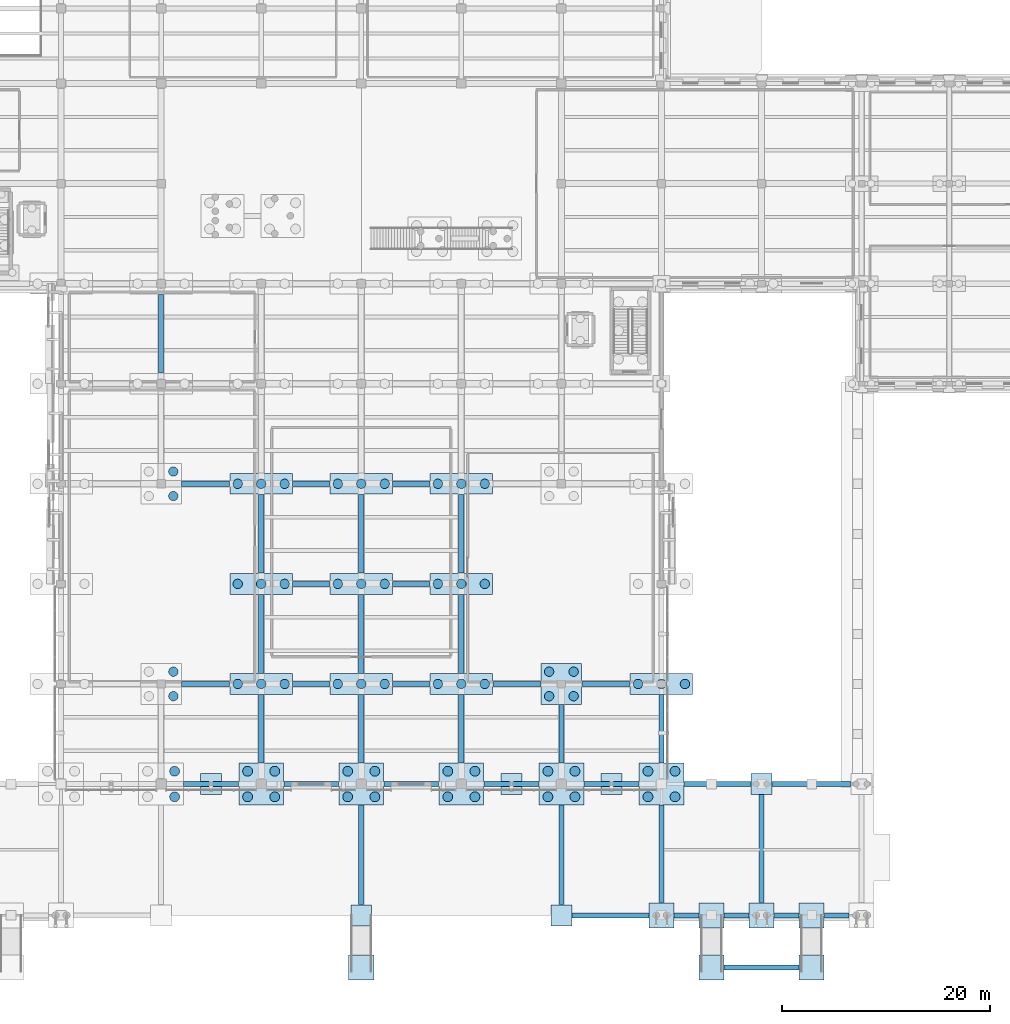
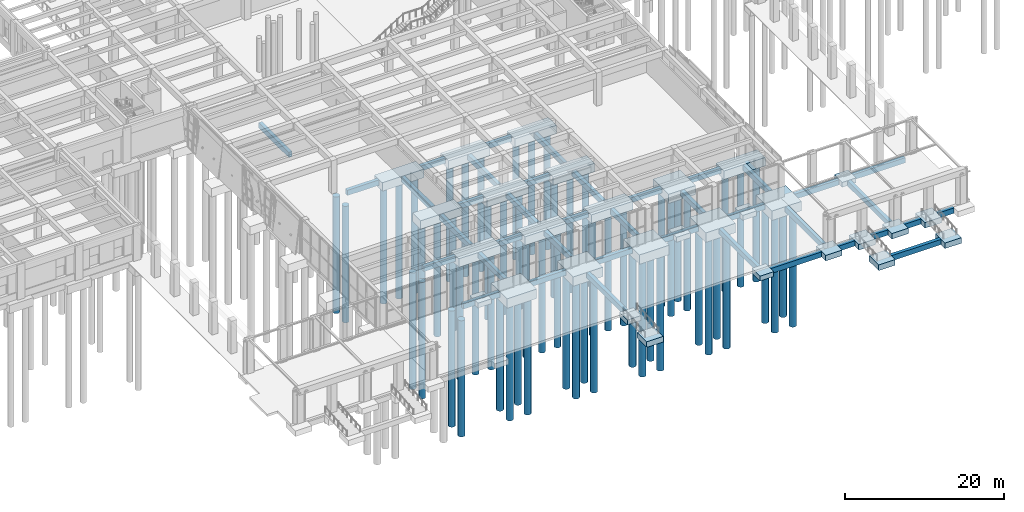
# One storey, part 2 of 51: 68 footings, 60 piles.
"""IFC4 building model written with IfcOpenShell, lengths in metres."""

from ifc_helpers import new_model, si_unit, direction, frame, origin, origin_2d, place, context, subcontext, project, spatial, rectangle, circle, extrude, material, material_profile, profile_set, type_object, element, save


model = new_model("IFC4")

# Units and contexts
model_context = context("Model", 3, precision=1e-05, world=origin(), true_north=direction((0.0, 1.0)))
body_context = subcontext(model_context, "Body", "Model", "MODEL_VIEW")
ifc_project = project(units=[si_unit("LENGTHUNIT", "METRE"), si_unit("AREAUNIT", "SQUARE_METRE"), si_unit("VOLUMEUNIT", "CUBIC_METRE"), si_unit("PLANEANGLEUNIT", "RADIAN"), si_unit("MASSUNIT", "GRAM", prefix="KILO")], contexts=[model_context])

# Site, building, storey
site_placement = place(None, origin())
site = spatial("IfcSite", under=ifc_project, at=site_placement, CompositionType="ELEMENT")
building_placement = place(site_placement, origin())
building = spatial("IfcBuilding", under=site, at=building_placement, Name="Bempovik Park Faculty of Sciences", CompositionType="ELEMENT")
storey_placement = place(building_placement, origin())
storey = spatial("IfcBuildingStorey", under=building, at=storey_placement, Name="L00", CompositionType="ELEMENT", Elevation=0.0)

# Footings
ifc_material = material(Name="Concrete C35/45", Category="concrete")
footing_type_1 = type_object("IfcFootingType", Name="F-25 Pile Cap 4300x4000x1450", PredefinedType="PILE_CAP", material=ifc_material)
for number, where, z_axis, x_axis, name in (
    (1, (79.199951171875, 19.800048828125, -1.81005859375), (0.0, 0.0, 1.0), (1.0, 0.0, 0.0), "Footing FT-L0-792-198"),
    (2, (88.800048828125, 19.800048828125, -1.81005859375), (0.0, 0.0, 1.0), (1.0, 0.0, 0.0), "Footing FT-L0-888-198"),
    (3, (98.39990234375, 19.800048828125, -1.81005859375), (0.0, 0.0, 1.0), (1.0, 0.0, 0.0), "Footing FT-L0-984-198"),
    (4, (108.0, 19.800048828125, -1.81005859375), (0.0, 0.0, 1.0), (1.0, 0.0, 0.0), "Footing FT-L0-1080-198"),
    (5, (117.60009765625, 19.800048828125, -1.81005859375), (0.0, 0.0, 1.0), (1.0, 0.0, 0.0), "Footing FT-L0-1176-198"),
):
    element("IfcFooting", number, at=place(storey_placement, frame(where, z_axis=z_axis, x_axis=x_axis)), inside=storey, type_object=footing_type_1, Name=name, PredefinedType="PILE_CAP", context=body_context, shape_type="SweptSolid", body=[
        extrude(rectangle(XDim=4.300048828125, YDim=4.0, at=origin_2d()), origin(), (0.0, 0.0, 1.0), 1.449951171875),
    ])
footing_type_2 = type_object("IfcFootingType", Name="F-26 Pile Cap 3900x3900x1400", PredefinedType="PILE_CAP", material=ifc_material)
footing_1_placement = place(storey_placement, frame((108.0, 29.39990234375, -1.760009765625), z_axis=(0.0, 0.0, 1.0), x_axis=(1.0, 0.0, 0.0)))
element("IfcFooting", 6, at=footing_1_placement, inside=storey, type_object=footing_type_2, Name="Footing FT-L0-1080-294", PredefinedType="PILE_CAP", context=body_context, shape_type="SweptSolid", body=[
    extrude(rectangle(XDim=3.89990234375, YDim=3.89990234375, at=origin_2d()), origin(), (0.0, 0.0, 1.0), 1.39990234375),
])
footing_type_3 = type_object("IfcFootingType", Name="F-28 Pile Cap 6000x2000x1300", PredefinedType="PILE_CAP", material=ifc_material)
for number, where, z_axis, x_axis, name in (
    (7, (79.199951171875, 29.39990234375, -1.66015625), (0.0, 0.0, 1.0), (1.0, 0.0, 0.0), "Footing FT-L0-792-294"),
    (8, (79.199951171875, 39.0, -1.66015625), (0.0, 0.0, 1.0), (1.0, 0.0, 0.0), "Footing FT-L0-792-390"),
    (9, (79.199951171875, 48.60009765625, -1.66015625), (0.0, 0.0, 1.0), (1.0, 0.0, 0.0), "Footing FT-L0-792-486"),
    (10, (88.800048828125, 29.39990234375, -1.66015625), (0.0, 0.0, 1.0), (1.0, 0.0, 0.0), "Footing FT-L0-888-294"),
    (11, (88.800048828125, 39.0, -1.66015625), (0.0, 0.0, 1.0), (1.0, 0.0, 0.0), "Footing FT-L0-888-390"),
    (12, (88.800048828125, 48.60009765625, -1.66015625), (0.0, 0.0, 1.0), (1.0, 0.0, 0.0), "Footing FT-L0-888-486"),
    (13, (98.39990234375, 29.39990234375, -1.66015625), (0.0, 0.0, 1.0), (1.0, 0.0, 0.0), "Footing FT-L0-984-294"),
    (14, (98.39990234375, 39.0, -1.66015625), (0.0, 0.0, 1.0), (1.0, 0.0, 0.0), "Footing FT-L0-984-390"),
    (15, (98.39990234375, 48.60009765625, -1.66015625), (0.0, 0.0, 1.0), (1.0, 0.0, 0.0), "Footing FT-L0-984-486"),
    (16, (117.60009765625, 29.39990234375, -1.66015625), (0.0, 0.0, 1.0), (1.0, 0.0, 0.0), "Footing FT-L0-1176-294"),
):
    element("IfcFooting", number, at=place(storey_placement, frame(where, z_axis=z_axis, x_axis=x_axis)), inside=storey, type_object=footing_type_3, Name=name, PredefinedType="PILE_CAP", context=body_context, shape_type="SweptSolid", body=[
        extrude(rectangle(XDim=6.0, YDim=2.0, at=origin_2d()), origin(), (0.0, 0.0, 1.0), 1.300048828125),
    ])
footing_type_4 = type_object("IfcFootingType", Name="F-32 Pad Footing 2400x2400x850", PredefinedType="PAD_FOOTING", material=ifc_material)
for number, where, z_axis, x_axis, name in (
    (17, (117.60009765625, 7.199951171875, -1.18994140625), (0.0, 0.0, 1.0), (1.0, 0.0, 0.0), "Footing PAD-A-1176"),
    (18, (127.199951171875, 7.199951171875, -1.18994140625), (0.0, 0.0, 1.0), (1.0, 0.0, 0.0), "Footing PAD-A-1272"),
    (19, (122.39990234375, 2.199951171875, -1.300048828125), (0.0, 0.0, 1.0), (1.0, 0.0, 0.0), "Footing PAD-RPTOE-3"),
    (20, (122.39990234375, 7.199951171875, -1.18994140625), (0.0, 0.0, 1.0), (1.0, 0.0, 0.0), "Footing PAD-RPHD-3"),
    (21, (132.0, 2.199951171875, -1.300048828125), (0.0, 0.0, 1.0), (1.0, 0.0, 0.0), "Footing PAD-RPTOE-4"),
    (22, (132.0, 7.199951171875, -1.18994140625), (0.0, 0.0, 1.0), (1.0, 0.0, 0.0), "Footing PAD-RPHD-4"),
    (23, (88.800048828125, 2.199951171875, -1.300048828125), (0.0, 0.0, 1.0), (1.0, 0.0, 0.0), "Footing PAD-RPTOE-5"),
):
    element("IfcFooting", number, at=place(storey_placement, frame(where, z_axis=z_axis, x_axis=x_axis)), inside=storey, type_object=footing_type_4, Name=name, PredefinedType="PAD_FOOTING", context=body_context, shape_type="SweptSolid", body=[
        extrude(rectangle(XDim=2.39990234375, YDim=2.39990234375, at=origin_2d()), origin(), (0.0, 0.0, 1.0), 0.85009765625),
    ])
footing_type_5 = type_object("IfcFootingType", Name="F-48 GB 500x800", PredefinedType="FOOTING_BEAM", material=ifc_material)
footing_2_placement = place(storey_placement, frame((74.39990234375, 19.800048828125, -1.16015625), z_axis=(0.0, 0.0, 1.0), x_axis=(1.0, 0.0, 0.0)))
element("IfcFooting", 24, at=footing_2_placement, inside=storey, type_object=footing_type_5, Name="Ground Tie Beam GB-X-065", PredefinedType="FOOTING_BEAM", context=body_context, shape_type="SweptSolid", body=[
    extrude(rectangle(XDim=5.260009765625, YDim=0.5, at=origin_2d()), origin(), (0.0, 0.0, 1.0), 0.800048828125),
])
for number, where, z_axis, x_axis, name in (
    (25, (73.875, 29.39990234375, -1.16015625), (0.0, 0.0, 1.0), (1.0, 0.0, 0.0), "Ground Tie Beam GB-X-066"),
    (26, (73.875, 48.60009765625, -1.16015625), (0.0, 0.0, 1.0), (1.0, 0.0, 0.0), "Ground Tie Beam GB-X-068"),
):
    element("IfcFooting", number, at=place(storey_placement, frame(where, z_axis=z_axis, x_axis=x_axis)), inside=storey, type_object=footing_type_5, Name=name, PredefinedType="FOOTING_BEAM", context=body_context, shape_type="SweptSolid", body=[
        extrude(rectangle(XDim=4.610107421875, YDim=0.5, at=origin_2d()), origin(), (0.0, 0.0, 1.0), 0.800048828125),
    ])
footing_3_placement = place(storey_placement, frame((69.60009765625, 63.0, -1.16015625), z_axis=(0.0, 0.0, 1.0), x_axis=(1.0, 0.0, 0.0)))
element("IfcFooting", 27, at=footing_3_placement, inside=storey, type_object=footing_type_5, Name="Ground Tie Beam GB-Y-069", PredefinedType="FOOTING_BEAM", context=body_context, shape_type="SweptSolid", body=[
    extrude(rectangle(XDim=0.5, YDim=7.56005859375, at=origin_2d()), origin(), (0.0, 0.0, 1.0), 0.800048828125),
])
footing_4_placement = place(storey_placement, frame((79.199951171875, 25.10009765625, -1.16015625), z_axis=(0.0, 0.0, 1.0), x_axis=(1.0, 0.0, 0.0)))
element("IfcFooting", 28, at=footing_4_placement, inside=storey, type_object=footing_type_5, Name="Ground Tie Beam GB-Y-073", PredefinedType="FOOTING_BEAM", context=body_context, shape_type="SweptSolid", body=[
    extrude(rectangle(XDim=0.5, YDim=6.56005859375, at=origin_2d()), origin(), (0.0, 0.0, 1.0), 0.800048828125),
])
footing_5_placement = place(storey_placement, frame((84.0, 19.800048828125, -1.16015625), z_axis=(0.0, 0.0, 1.0), x_axis=(1.0, 0.0, 0.0)))
element("IfcFooting", 29, at=footing_5_placement, inside=storey, type_object=footing_type_5, Name="Ground Tie Beam GB-X-074", PredefinedType="FOOTING_BEAM", context=body_context, shape_type="SweptSolid", body=[
    extrude(rectangle(XDim=5.260009765625, YDim=0.5, at=origin_2d()), origin(), (0.0, 0.0, 1.0), 0.800048828125),
])
footing_6_placement = place(storey_placement, frame((79.199951171875, 34.199951171875, -1.16015625), z_axis=(0.0, 0.0, 1.0), x_axis=(1.0, 0.0, 0.0)))
element("IfcFooting", 30, at=footing_6_placement, inside=storey, type_object=footing_type_5, Name="Ground Tie Beam GB-Y-075", PredefinedType="FOOTING_BEAM", context=body_context, shape_type="SweptSolid", body=[
    extrude(rectangle(XDim=0.5, YDim=7.56005859375, at=origin_2d()), origin(), (0.0, 0.0, 1.0), 0.800048828125),
])
footing_7_placement = place(storey_placement, frame((84.0, 29.39990234375, -1.16015625), z_axis=(0.0, 0.0, 1.0), x_axis=(1.0, 0.0, 0.0)))
element("IfcFooting", 31, at=footing_7_placement, inside=storey, type_object=footing_type_5, Name="Ground Tie Beam GB-X-076", PredefinedType="FOOTING_BEAM", context=body_context, shape_type="SweptSolid", body=[
    extrude(rectangle(XDim=3.56005859375, YDim=0.5, at=origin_2d()), origin(), (0.0, 0.0, 1.0), 0.800048828125),
])
footing_8_placement = place(storey_placement, frame((79.199951171875, 43.800048828125, -1.16015625), z_axis=(0.0, 0.0, 1.0), x_axis=(1.0, 0.0, 0.0)))
element("IfcFooting", 32, at=footing_8_placement, inside=storey, type_object=footing_type_5, Name="Ground Tie Beam GB-Y-077", PredefinedType="FOOTING_BEAM", context=body_context, shape_type="SweptSolid", body=[
    extrude(rectangle(XDim=0.5, YDim=7.56005859375, at=origin_2d()), origin(), (0.0, 0.0, 1.0), 0.800048828125),
])
for number, where, z_axis, x_axis, name in (
    (33, (84.0, 39.0, -1.16015625), (0.0, 0.0, 1.0), (1.0, 0.0, 0.0), "Ground Tie Beam GB-X-078"),
    (34, (84.0, 48.60009765625, -1.16015625), (0.0, 0.0, 1.0), (1.0, 0.0, 0.0), "Ground Tie Beam GB-X-080"),
):
    element("IfcFooting", number, at=place(storey_placement, frame(where, z_axis=z_axis, x_axis=x_axis)), inside=storey, type_object=footing_type_5, Name=name, PredefinedType="FOOTING_BEAM", context=body_context, shape_type="SweptSolid", body=[
        extrude(rectangle(XDim=3.56005859375, YDim=0.5, at=origin_2d()), origin(), (0.0, 0.0, 1.0), 0.800048828125),
    ])
footing_9_placement = place(storey_placement, frame((88.800048828125, 13.0, -1.14013671875), z_axis=(0.0, 0.0, 1.0), x_axis=(1.0, 0.0, 0.0)))
element("IfcFooting", 35, at=footing_9_placement, inside=storey, type_object=footing_type_5, Name="Ground Tie Beam GB-Y-084", PredefinedType="FOOTING_BEAM", context=body_context, shape_type="SweptSolid", body=[
    extrude(rectangle(XDim=0.5, YDim=9.56005859375, at=origin_2d()), origin(), (0.0, 0.0, 1.0), 0.800048828125),
])
footing_10_placement = place(storey_placement, frame((88.800048828125, 25.10009765625, -1.16015625), z_axis=(0.0, 0.0, 1.0), x_axis=(1.0, 0.0, 0.0)))
element("IfcFooting", 36, at=footing_10_placement, inside=storey, type_object=footing_type_5, Name="Ground Tie Beam GB-Y-085", PredefinedType="FOOTING_BEAM", context=body_context, shape_type="SweptSolid", body=[
    extrude(rectangle(XDim=0.5, YDim=6.56005859375, at=origin_2d()), origin(), (0.0, 0.0, 1.0), 0.800048828125),
])
footing_11_placement = place(storey_placement, frame((93.60009765625, 19.800048828125, -1.16015625), z_axis=(0.0, 0.0, 1.0), x_axis=(1.0, 0.0, 0.0)))
element("IfcFooting", 37, at=footing_11_placement, inside=storey, type_object=footing_type_5, Name="Ground Tie Beam GB-X-086", PredefinedType="FOOTING_BEAM", context=body_context, shape_type="SweptSolid", body=[
    extrude(rectangle(XDim=5.260009765625, YDim=0.5, at=origin_2d()), origin(), (0.0, 0.0, 1.0), 0.800048828125),
])
footing_12_placement = place(storey_placement, frame((88.800048828125, 34.199951171875, -1.16015625), z_axis=(0.0, 0.0, 1.0), x_axis=(1.0, 0.0, 0.0)))
element("IfcFooting", 38, at=footing_12_placement, inside=storey, type_object=footing_type_5, Name="Ground Tie Beam GB-Y-087", PredefinedType="FOOTING_BEAM", context=body_context, shape_type="SweptSolid", body=[
    extrude(rectangle(XDim=0.5, YDim=7.56005859375, at=origin_2d()), origin(), (0.0, 0.0, 1.0), 0.800048828125),
])
footing_13_placement = place(storey_placement, frame((93.60009765625, 29.39990234375, -1.16015625), z_axis=(0.0, 0.0, 1.0), x_axis=(1.0, 0.0, 0.0)))
element("IfcFooting", 39, at=footing_13_placement, inside=storey, type_object=footing_type_5, Name="Ground Tie Beam GB-X-088", PredefinedType="FOOTING_BEAM", context=body_context, shape_type="SweptSolid", body=[
    extrude(rectangle(XDim=3.56005859375, YDim=0.5, at=origin_2d()), origin(), (0.0, 0.0, 1.0), 0.800048828125),
])
footing_14_placement = place(storey_placement, frame((88.800048828125, 43.800048828125, -1.16015625), z_axis=(0.0, 0.0, 1.0), x_axis=(1.0, 0.0, 0.0)))
element("IfcFooting", 40, at=footing_14_placement, inside=storey, type_object=footing_type_5, Name="Ground Tie Beam GB-Y-089", PredefinedType="FOOTING_BEAM", context=body_context, shape_type="SweptSolid", body=[
    extrude(rectangle(XDim=0.5, YDim=7.56005859375, at=origin_2d()), origin(), (0.0, 0.0, 1.0), 0.800048828125),
])
for number, where, z_axis, x_axis, name in (
    (41, (93.60009765625, 39.0, -1.16015625), (0.0, 0.0, 1.0), (1.0, 0.0, 0.0), "Ground Tie Beam GB-X-090"),
    (42, (93.60009765625, 48.60009765625, -1.16015625), (0.0, 0.0, 1.0), (1.0, 0.0, 0.0), "Ground Tie Beam GB-X-092"),
):
    element("IfcFooting", number, at=place(storey_placement, frame(where, z_axis=z_axis, x_axis=x_axis)), inside=storey, type_object=footing_type_5, Name=name, PredefinedType="FOOTING_BEAM", context=body_context, shape_type="SweptSolid", body=[
        extrude(rectangle(XDim=3.56005859375, YDim=0.5, at=origin_2d()), origin(), (0.0, 0.0, 1.0), 0.800048828125),
    ])
footing_15_placement = place(storey_placement, frame((98.39990234375, 25.10009765625, -1.16015625), z_axis=(0.0, 0.0, 1.0), x_axis=(1.0, 0.0, 0.0)))
element("IfcFooting", 43, at=footing_15_placement, inside=storey, type_object=footing_type_5, Name="Ground Tie Beam GB-Y-097", PredefinedType="FOOTING_BEAM", context=body_context, shape_type="SweptSolid", body=[
    extrude(rectangle(XDim=0.5, YDim=6.56005859375, at=origin_2d()), origin(), (0.0, 0.0, 1.0), 0.800048828125),
])
footing_16_placement = place(storey_placement, frame((103.199951171875, 19.800048828125, -1.16015625), z_axis=(0.0, 0.0, 1.0), x_axis=(1.0, 0.0, 0.0)))
element("IfcFooting", 44, at=footing_16_placement, inside=storey, type_object=footing_type_5, Name="Ground Tie Beam GB-X-098", PredefinedType="FOOTING_BEAM", context=body_context, shape_type="SweptSolid", body=[
    extrude(rectangle(XDim=5.260009765625, YDim=0.5, at=origin_2d()), origin(), (0.0, 0.0, 1.0), 0.800048828125),
])
footing_17_placement = place(storey_placement, frame((98.39990234375, 34.199951171875, -1.16015625), z_axis=(0.0, 0.0, 1.0), x_axis=(1.0, 0.0, 0.0)))
element("IfcFooting", 45, at=footing_17_placement, inside=storey, type_object=footing_type_5, Name="Ground Tie Beam GB-Y-099", PredefinedType="FOOTING_BEAM", context=body_context, shape_type="SweptSolid", body=[
    extrude(rectangle(XDim=0.5, YDim=7.56005859375, at=origin_2d()), origin(), (0.0, 0.0, 1.0), 0.800048828125),
])
footing_18_placement = place(storey_placement, frame((103.72509765625, 29.39990234375, -1.16015625), z_axis=(0.0, 0.0, 1.0), x_axis=(1.0, 0.0, 0.0)))
element("IfcFooting", 46, at=footing_18_placement, inside=storey, type_object=footing_type_5, Name="Ground Tie Beam GB-X-100", PredefinedType="FOOTING_BEAM", context=body_context, shape_type="SweptSolid", body=[
    extrude(rectangle(XDim=4.610107421875, YDim=0.5, at=origin_2d()), origin(), (0.0, 0.0, 1.0), 0.800048828125),
])
footing_19_placement = place(storey_placement, frame((98.39990234375, 43.800048828125, -1.16015625), z_axis=(0.0, 0.0, 1.0), x_axis=(1.0, 0.0, 0.0)))
element("IfcFooting", 47, at=footing_19_placement, inside=storey, type_object=footing_type_5, Name="Ground Tie Beam GB-Y-101", PredefinedType="FOOTING_BEAM", context=body_context, shape_type="SweptSolid", body=[
    extrude(rectangle(XDim=0.5, YDim=7.56005859375, at=origin_2d()), origin(), (0.0, 0.0, 1.0), 0.800048828125),
])
footing_20_placement = place(storey_placement, frame((108.0, 13.0, -1.14013671875), z_axis=(0.0, 0.0, 1.0), x_axis=(1.0, 0.0, 0.0)))
element("IfcFooting", 48, at=footing_20_placement, inside=storey, type_object=footing_type_5, Name="Ground Tie Beam GB-Y-107", PredefinedType="FOOTING_BEAM", context=body_context, shape_type="SweptSolid", body=[
    extrude(rectangle(XDim=0.5, YDim=9.56005859375, at=origin_2d()), origin(), (0.0, 0.0, 1.0), 0.800048828125),
])
footing_21_placement = place(storey_placement, frame((112.699951171875, 7.199951171875, -1.14013671875), z_axis=(0.0, 0.0, 1.0), x_axis=(1.0, 0.0, 0.0)))
element("IfcFooting", 49, at=footing_21_placement, inside=storey, type_object=footing_type_5, Name="Ground Tie Beam GB-X-108", PredefinedType="FOOTING_BEAM", context=body_context, shape_type="SweptSolid", body=[
    extrude(rectangle(XDim=7.360107421875, YDim=0.5, at=origin_2d()), origin(), (0.0, 0.0, 1.0), 0.800048828125),
])
footing_22_placement = place(storey_placement, frame((108.0, 24.625, -1.16015625), z_axis=(0.0, 0.0, 1.0), x_axis=(1.0, 0.0, 0.0)))
element("IfcFooting", 50, at=footing_22_placement, inside=storey, type_object=footing_type_5, Name="Ground Tie Beam GB-Y-109", PredefinedType="FOOTING_BEAM", context=body_context, shape_type="SweptSolid", body=[
    extrude(rectangle(XDim=0.5, YDim=5.610107421875, at=origin_2d()), origin(), (0.0, 0.0, 1.0), 0.800048828125),
])
footing_23_placement = place(storey_placement, frame((112.800048828125, 19.800048828125, -1.16015625), z_axis=(0.0, 0.0, 1.0), x_axis=(1.0, 0.0, 0.0)))
element("IfcFooting", 51, at=footing_23_placement, inside=storey, type_object=footing_type_5, Name="Ground Tie Beam GB-X-110", PredefinedType="FOOTING_BEAM", context=body_context, shape_type="SweptSolid", body=[
    extrude(rectangle(XDim=5.260009765625, YDim=0.5, at=origin_2d()), origin(), (0.0, 0.0, 1.0), 0.800048828125),
])
footing_24_placement = place(storey_placement, frame((112.27490234375, 29.39990234375, -1.16015625), z_axis=(0.0, 0.0, 1.0), x_axis=(1.0, 0.0, 0.0)))
element("IfcFooting", 52, at=footing_24_placement, inside=storey, type_object=footing_type_5, Name="Ground Tie Beam GB-X-111", PredefinedType="FOOTING_BEAM", context=body_context, shape_type="SweptSolid", body=[
    extrude(rectangle(XDim=4.610107421875, YDim=0.5, at=origin_2d()), origin(), (0.0, 0.0, 1.0), 0.800048828125),
])
footing_25_placement = place(storey_placement, frame((117.60009765625, 13.10009765625, -1.14013671875), z_axis=(0.0, 0.0, 1.0), x_axis=(1.0, 0.0, 0.0)))
element("IfcFooting", 53, at=footing_25_placement, inside=storey, type_object=footing_type_5, Name="Ground Tie Beam GB-Y-117", PredefinedType="FOOTING_BEAM", context=body_context, shape_type="SweptSolid", body=[
    extrude(rectangle(XDim=0.5, YDim=9.360107421875, at=origin_2d()), origin(), (0.0, 0.0, 1.0), 0.800048828125),
])
footing_26_placement = place(storey_placement, frame((120.0, 7.199951171875, -1.14013671875), z_axis=(0.0, 0.0, 1.0), x_axis=(1.0, 0.0, 0.0)))
element("IfcFooting", 54, at=footing_26_placement, inside=storey, type_object=footing_type_5, Name="Ground Tie Beam GB-X-118", PredefinedType="FOOTING_BEAM", context=body_context, shape_type="SweptSolid", body=[
    extrude(rectangle(XDim=2.360107421875, YDim=0.5, at=origin_2d()), origin(), (0.0, 0.0, 1.0), 0.800048828125),
])
footing_27_placement = place(storey_placement, frame((117.60009765625, 25.10009765625, -1.16015625), z_axis=(0.0, 0.0, 1.0), x_axis=(1.0, 0.0, 0.0)))
element("IfcFooting", 55, at=footing_27_placement, inside=storey, type_object=footing_type_5, Name="Ground Tie Beam GB-Y-119", PredefinedType="FOOTING_BEAM", context=body_context, shape_type="SweptSolid", body=[
    extrude(rectangle(XDim=0.5, YDim=6.56005859375, at=origin_2d()), origin(), (0.0, 0.0, 1.0), 0.800048828125),
])
footing_28_placement = place(storey_placement, frame((122.97509765625, 19.800048828125, -1.16015625), z_axis=(0.0, 0.0, 1.0), x_axis=(1.0, 0.0, 0.0)))
element("IfcFooting", 56, at=footing_28_placement, inside=storey, type_object=footing_type_5, Name="Ground Tie Beam GB-X-120", PredefinedType="FOOTING_BEAM", context=body_context, shape_type="SweptSolid", body=[
    extrude(rectangle(XDim=6.409912109375, YDim=0.5, at=origin_2d()), origin(), (0.0, 0.0, 1.0), 0.800048828125),
])
footing_29_placement = place(storey_placement, frame((127.199951171875, 2.199951171875, -1.25), z_axis=(0.0, 0.0, 1.0), x_axis=(1.0, 0.0, 0.0)))
element("IfcFooting", 57, at=footing_29_placement, inside=storey, type_object=footing_type_5, Name="Ground Tie Beam GB-X-126", PredefinedType="FOOTING_BEAM", context=body_context, shape_type="SweptSolid", body=[
    extrude(rectangle(XDim=7.159912109375, YDim=0.5, at=origin_2d()), origin(), (0.0, 0.0, 1.0), 0.800048828125),
])
footing_30_placement = place(storey_placement, frame((124.800048828125, 7.199951171875, -1.14013671875), z_axis=(0.0, 0.0, 1.0), x_axis=(1.0, 0.0, 0.0)))
element("IfcFooting", 58, at=footing_30_placement, inside=storey, type_object=footing_type_5, Name="Ground Tie Beam GB-X-127", PredefinedType="FOOTING_BEAM", context=body_context, shape_type="SweptSolid", body=[
    extrude(rectangle(XDim=2.360107421875, YDim=0.5, at=origin_2d()), origin(), (0.0, 0.0, 1.0), 0.800048828125),
])
footing_31_placement = place(storey_placement, frame((127.199951171875, 13.60009765625, -1.14013671875), z_axis=(0.0, 0.0, 1.0), x_axis=(1.0, 0.0, 0.0)))
element("IfcFooting", 59, at=footing_31_placement, inside=storey, type_object=footing_type_5, Name="Ground Tie Beam GB-Y-128", PredefinedType="FOOTING_BEAM", context=body_context, shape_type="SweptSolid", body=[
    extrude(rectangle(XDim=0.5, YDim=10.360107421875, at=origin_2d()), origin(), (0.0, 0.0, 1.0), 0.800048828125),
])
footing_32_placement = place(storey_placement, frame((129.60009765625, 7.199951171875, -1.14013671875), z_axis=(0.0, 0.0, 1.0), x_axis=(1.0, 0.0, 0.0)))
element("IfcFooting", 60, at=footing_32_placement, inside=storey, type_object=footing_type_5, Name="Ground Tie Beam GB-X-129", PredefinedType="FOOTING_BEAM", context=body_context, shape_type="SweptSolid", body=[
    extrude(rectangle(XDim=2.360107421875, YDim=0.5, at=origin_2d()), origin(), (0.0, 0.0, 1.0), 0.800048828125),
])
footing_33_placement = place(storey_placement, frame((132.0, 19.800048828125, -1.14013671875), z_axis=(0.0, 0.0, 1.0), x_axis=(1.0, 0.0, 0.0)))
element("IfcFooting", 61, at=footing_33_placement, inside=storey, type_object=footing_type_5, Name="Ground Tie Beam GB-X-130", PredefinedType="FOOTING_BEAM", context=body_context, shape_type="SweptSolid", body=[
    extrude(rectangle(XDim=7.56005859375, YDim=0.5, at=origin_2d()), origin(), (0.0, 0.0, 1.0), 0.800048828125),
])
footing_34_placement = place(storey_placement, frame((134.39990234375, 7.199951171875, -1.14013671875), z_axis=(0.0, 0.0, 1.0), x_axis=(1.0, 0.0, 0.0)))
element("IfcFooting", 62, at=footing_34_placement, inside=storey, type_object=footing_type_5, Name="Ground Tie Beam GB-X-132", PredefinedType="FOOTING_BEAM", context=body_context, shape_type="SweptSolid", body=[
    extrude(rectangle(XDim=2.360107421875, YDim=0.5, at=origin_2d()), origin(), (0.0, 0.0, 1.0), 0.800048828125),
])
footing_type_6 = type_object("IfcFootingType", Name="F-52 Pad Footing 2000x2000x750", PredefinedType="PAD_FOOTING", material=ifc_material)
for number, where, z_axis, x_axis, name in (
    (63, (127.199951171875, 19.800048828125, -1.090087890625), (0.0, 0.0, 1.0), (1.0, 0.0, 0.0), "Footing PAD-B-1272"),
    (64, (88.800048828125, 7.199951171875, -1.090087890625), (0.0, 0.0, 1.0), (1.0, 0.0, 0.0), "Footing PAD-PORT-888"),
    (65, (108.0, 7.199951171875, -1.090087890625), (0.0, 0.0, 1.0), (1.0, 0.0, 0.0), "Footing PAD-PORT-1080"),
    (66, (74.39990234375, 19.800048828125, -1.110107421875), (0.0, 0.0, 1.0), (1.0, 0.0, 0.0), "Footing PAD-FOY-744"),
    (67, (103.199951171875, 19.800048828125, -1.110107421875), (0.0, 0.0, 1.0), (1.0, 0.0, 0.0), "Footing PAD-FOY-1032"),
    (68, (112.800048828125, 19.800048828125, -1.110107421875), (0.0, 0.0, 1.0), (1.0, 0.0, 0.0), "Footing PAD-FOY-1128"),
):
    element("IfcFooting", number, at=place(storey_placement, frame(where, z_axis=z_axis, x_axis=x_axis)), inside=storey, type_object=footing_type_6, Name=name, PredefinedType="PAD_FOOTING", context=body_context, shape_type="SweptSolid", body=[
        extrude(rectangle(XDim=2.0, YDim=2.0, at=origin_2d()), origin(), (0.0, 0.0, 1.0), 0.75),
    ])

# Piles
ifc_material_profile_1 = material_profile(ifc_material, circle(Radius=0.47509765625, at=origin_2d()), Name="BP D950")
ifc_profile_set_1 = profile_set([ifc_material_profile_1], Name="Concrete C35/45")
pile_type_1 = type_object("IfcPileType", Name="P-14 BP D950", PredefinedType="BORED", material=ifc_profile_set_1)
for number, where, z_axis, x_axis, name in (
    (69, (70.89990234375, 18.574951171875, -1.7099609375), (0.0, 0.0, -1.0), (1.0, 0.0, 0.0), "Bored Pile FT-L0-696-198-P3"),
    (70, (70.89990234375, 21.02490234375, -1.7099609375), (0.0, 0.0, -1.0), (1.0, 0.0, 0.0), "Bored Pile FT-L0-696-198-P4"),
    (71, (77.89990234375, 18.574951171875, -1.7099609375), (0.0, 0.0, -1.0), (1.0, 0.0, 0.0), "Bored Pile FT-L0-792-198-P1"),
    (72, (77.89990234375, 21.02490234375, -1.7099609375), (0.0, 0.0, -1.0), (1.0, 0.0, 0.0), "Bored Pile FT-L0-792-198-P2"),
    (73, (80.5, 18.574951171875, -1.7099609375), (0.0, 0.0, -1.0), (1.0, 0.0, 0.0), "Bored Pile FT-L0-792-198-P3"),
    (74, (80.5, 21.02490234375, -1.7099609375), (0.0, 0.0, -1.0), (1.0, 0.0, 0.0), "Bored Pile FT-L0-792-198-P4"),
    (75, (87.5, 18.574951171875, -1.7099609375), (0.0, 0.0, -1.0), (1.0, 0.0, 0.0), "Bored Pile FT-L0-888-198-P1"),
    (76, (87.5, 21.02490234375, -1.7099609375), (0.0, 0.0, -1.0), (1.0, 0.0, 0.0), "Bored Pile FT-L0-888-198-P2"),
    (77, (90.10009765625, 18.574951171875, -1.7099609375), (0.0, 0.0, -1.0), (1.0, 0.0, 0.0), "Bored Pile FT-L0-888-198-P3"),
    (78, (90.10009765625, 21.02490234375, -1.7099609375), (0.0, 0.0, -1.0), (1.0, 0.0, 0.0), "Bored Pile FT-L0-888-198-P4"),
    (79, (97.10009765625, 18.574951171875, -1.7099609375), (0.0, 0.0, -1.0), (1.0, 0.0, 0.0), "Bored Pile FT-L0-984-198-P1"),
    (80, (97.10009765625, 21.02490234375, -1.7099609375), (0.0, 0.0, -1.0), (1.0, 0.0, 0.0), "Bored Pile FT-L0-984-198-P2"),
    (81, (99.699951171875, 18.574951171875, -1.7099609375), (0.0, 0.0, -1.0), (1.0, 0.0, 0.0), "Bored Pile FT-L0-984-198-P3"),
    (82, (99.699951171875, 21.02490234375, -1.7099609375), (0.0, 0.0, -1.0), (1.0, 0.0, 0.0), "Bored Pile FT-L0-984-198-P4"),
    (83, (106.699951171875, 18.574951171875, -1.7099609375), (0.0, 0.0, -1.0), (1.0, 0.0, 0.0), "Bored Pile FT-L0-1080-198-P1"),
    (84, (106.699951171875, 21.02490234375, -1.7099609375), (0.0, 0.0, -1.0), (1.0, 0.0, 0.0), "Bored Pile FT-L0-1080-198-P2"),
    (85, (109.300048828125, 18.574951171875, -1.7099609375), (0.0, 0.0, -1.0), (1.0, 0.0, 0.0), "Bored Pile FT-L0-1080-198-P3"),
    (86, (109.300048828125, 21.02490234375, -1.7099609375), (0.0, 0.0, -1.0), (1.0, 0.0, 0.0), "Bored Pile FT-L0-1080-198-P4"),
    (87, (116.300048828125, 18.574951171875, -1.7099609375), (0.0, 0.0, -1.0), (1.0, 0.0, 0.0), "Bored Pile FT-L0-1176-198-P1"),
    (88, (116.300048828125, 21.02490234375, -1.7099609375), (0.0, 0.0, -1.0), (1.0, 0.0, 0.0), "Bored Pile FT-L0-1176-198-P2"),
    (89, (118.89990234375, 18.574951171875, -1.7099609375), (0.0, 0.0, -1.0), (1.0, 0.0, 0.0), "Bored Pile FT-L0-1176-198-P3"),
    (90, (118.89990234375, 21.02490234375, -1.7099609375), (0.0, 0.0, -1.0), (1.0, 0.0, 0.0), "Bored Pile FT-L0-1176-198-P4"),
):
    element("IfcPile", number, at=place(storey_placement, frame(where, z_axis=z_axis, x_axis=x_axis)), inside=storey, type_object=pile_type_1, Name=name, PredefinedType="BORED", context=body_context, shape_type="SweptSolid", body=[
        extrude(circle(Radius=0.47509765625, at=origin_2d()), origin(), (0.0, 0.0, 1.0), 17.7900390625),
    ])
ifc_material_profile_2 = material_profile(ifc_material, circle(Radius=0.449951171875, at=origin_2d()), Name="BP D900")
ifc_profile_set_2 = profile_set([ifc_material_profile_2], Name="Concrete C35/45")
pile_type_2 = type_object("IfcPileType", Name="P-20 BP D900", PredefinedType="BORED", material=ifc_profile_set_2)
for number, where, z_axis, x_axis, name in (
    (91, (70.77490234375, 28.22509765625, -1.659912109375), (0.0, 0.0, -1.0), (1.0, 0.0, 0.0), "Bored Pile FT-L0-696-294-P3"),
    (92, (70.77490234375, 30.574951171875, -1.659912109375), (0.0, 0.0, -1.0), (1.0, 0.0, 0.0), "Bored Pile FT-L0-696-294-P4"),
    (93, (70.77490234375, 47.425048828125, -1.659912109375), (0.0, 0.0, -1.0), (1.0, 0.0, 0.0), "Bored Pile FT-L0-696-486-P3"),
    (94, (70.77490234375, 49.77490234375, -1.659912109375), (0.0, 0.0, -1.0), (1.0, 0.0, 0.0), "Bored Pile FT-L0-696-486-P4"),
):
    element("IfcPile", number, at=place(storey_placement, frame(where, z_axis=z_axis, x_axis=x_axis)), inside=storey, type_object=pile_type_2, Name=name, PredefinedType="BORED", context=body_context, shape_type="SweptSolid", body=[
        extrude(circle(Radius=0.449951171875, at=origin_2d()), origin(), (0.0, 0.0, 1.0), 17.840087890625),
    ])
for number, where, z_axis, x_axis, name in (
    (95, (76.949951171875, 29.39990234375, -1.56005859375), (0.0, 0.0, -1.0), (1.0, 0.0, 0.0), "Bored Pile FT-L0-792-294-P1"),
    (96, (79.199951171875, 29.39990234375, -1.56005859375), (0.0, 0.0, -1.0), (1.0, 0.0, 0.0), "Bored Pile FT-L0-792-294-P2"),
    (97, (81.449951171875, 29.39990234375, -1.56005859375), (0.0, 0.0, -1.0), (1.0, 0.0, 0.0), "Bored Pile FT-L0-792-294-P3"),
    (98, (76.949951171875, 39.0, -1.56005859375), (0.0, 0.0, -1.0), (1.0, 0.0, 0.0), "Bored Pile FT-L0-792-390-P1"),
    (99, (79.199951171875, 39.0, -1.56005859375), (0.0, 0.0, -1.0), (1.0, 0.0, 0.0), "Bored Pile FT-L0-792-390-P2"),
    (100, (81.449951171875, 39.0, -1.56005859375), (0.0, 0.0, -1.0), (1.0, 0.0, 0.0), "Bored Pile FT-L0-792-390-P3"),
    (101, (76.949951171875, 48.60009765625, -1.56005859375), (0.0, 0.0, -1.0), (1.0, 0.0, 0.0), "Bored Pile FT-L0-792-486-P1"),
    (102, (79.199951171875, 48.60009765625, -1.56005859375), (0.0, 0.0, -1.0), (1.0, 0.0, 0.0), "Bored Pile FT-L0-792-486-P2"),
    (103, (81.449951171875, 48.60009765625, -1.56005859375), (0.0, 0.0, -1.0), (1.0, 0.0, 0.0), "Bored Pile FT-L0-792-486-P3"),
    (104, (86.550048828125, 29.39990234375, -1.56005859375), (0.0, 0.0, -1.0), (1.0, 0.0, 0.0), "Bored Pile FT-L0-888-294-P1"),
    (105, (88.800048828125, 29.39990234375, -1.56005859375), (0.0, 0.0, -1.0), (1.0, 0.0, 0.0), "Bored Pile FT-L0-888-294-P2"),
    (106, (91.050048828125, 29.39990234375, -1.56005859375), (0.0, 0.0, -1.0), (1.0, 0.0, 0.0), "Bored Pile FT-L0-888-294-P3"),
    (107, (86.550048828125, 39.0, -1.56005859375), (0.0, 0.0, -1.0), (1.0, 0.0, 0.0), "Bored Pile FT-L0-888-390-P1"),
    (108, (88.800048828125, 39.0, -1.56005859375), (0.0, 0.0, -1.0), (1.0, 0.0, 0.0), "Bored Pile FT-L0-888-390-P2"),
    (109, (91.050048828125, 39.0, -1.56005859375), (0.0, 0.0, -1.0), (1.0, 0.0, 0.0), "Bored Pile FT-L0-888-390-P3"),
    (110, (86.550048828125, 48.60009765625, -1.56005859375), (0.0, 0.0, -1.0), (1.0, 0.0, 0.0), "Bored Pile FT-L0-888-486-P1"),
    (111, (88.800048828125, 48.60009765625, -1.56005859375), (0.0, 0.0, -1.0), (1.0, 0.0, 0.0), "Bored Pile FT-L0-888-486-P2"),
    (112, (91.050048828125, 48.60009765625, -1.56005859375), (0.0, 0.0, -1.0), (1.0, 0.0, 0.0), "Bored Pile FT-L0-888-486-P3"),
    (113, (96.14990234375, 29.39990234375, -1.56005859375), (0.0, 0.0, -1.0), (1.0, 0.0, 0.0), "Bored Pile FT-L0-984-294-P1"),
    (114, (98.39990234375, 29.39990234375, -1.56005859375), (0.0, 0.0, -1.0), (1.0, 0.0, 0.0), "Bored Pile FT-L0-984-294-P2"),
    (115, (100.64990234375, 29.39990234375, -1.56005859375), (0.0, 0.0, -1.0), (1.0, 0.0, 0.0), "Bored Pile FT-L0-984-294-P3"),
    (116, (96.14990234375, 39.0, -1.56005859375), (0.0, 0.0, -1.0), (1.0, 0.0, 0.0), "Bored Pile FT-L0-984-390-P1"),
    (117, (98.39990234375, 39.0, -1.56005859375), (0.0, 0.0, -1.0), (1.0, 0.0, 0.0), "Bored Pile FT-L0-984-390-P2"),
    (118, (100.64990234375, 39.0, -1.56005859375), (0.0, 0.0, -1.0), (1.0, 0.0, 0.0), "Bored Pile FT-L0-984-390-P3"),
    (119, (96.14990234375, 48.60009765625, -1.56005859375), (0.0, 0.0, -1.0), (1.0, 0.0, 0.0), "Bored Pile FT-L0-984-486-P1"),
    (120, (98.39990234375, 48.60009765625, -1.56005859375), (0.0, 0.0, -1.0), (1.0, 0.0, 0.0), "Bored Pile FT-L0-984-486-P2"),
    (121, (100.64990234375, 48.60009765625, -1.56005859375), (0.0, 0.0, -1.0), (1.0, 0.0, 0.0), "Bored Pile FT-L0-984-486-P3"),
):
    element("IfcPile", number, at=place(storey_placement, frame(where, z_axis=z_axis, x_axis=x_axis)), inside=storey, type_object=pile_type_2, Name=name, PredefinedType="BORED", context=body_context, shape_type="SweptSolid", body=[
        extrude(circle(Radius=0.449951171875, at=origin_2d()), origin(), (0.0, 0.0, 1.0), 17.93994140625),
    ])
for number, where, z_axis, x_axis, name in (
    (122, (106.824951171875, 28.22509765625, -1.659912109375), (0.0, 0.0, -1.0), (1.0, 0.0, 0.0), "Bored Pile FT-L0-1080-294-P1"),
    (123, (106.824951171875, 30.574951171875, -1.659912109375), (0.0, 0.0, -1.0), (1.0, 0.0, 0.0), "Bored Pile FT-L0-1080-294-P2"),
    (124, (109.175048828125, 28.22509765625, -1.659912109375), (0.0, 0.0, -1.0), (1.0, 0.0, 0.0), "Bored Pile FT-L0-1080-294-P3"),
    (125, (109.175048828125, 30.574951171875, -1.659912109375), (0.0, 0.0, -1.0), (1.0, 0.0, 0.0), "Bored Pile FT-L0-1080-294-P4"),
):
    element("IfcPile", number, at=place(storey_placement, frame(where, z_axis=z_axis, x_axis=x_axis)), inside=storey, type_object=pile_type_2, Name=name, PredefinedType="BORED", context=body_context, shape_type="SweptSolid", body=[
        extrude(circle(Radius=0.449951171875, at=origin_2d()), origin(), (0.0, 0.0, 1.0), 17.840087890625),
    ])
for number, where, z_axis, x_axis, name in (
    (126, (115.35009765625, 29.39990234375, -1.56005859375), (0.0, 0.0, -1.0), (1.0, 0.0, 0.0), "Bored Pile FT-L0-1176-294-P1"),
    (127, (117.60009765625, 29.39990234375, -1.56005859375), (0.0, 0.0, -1.0), (1.0, 0.0, 0.0), "Bored Pile FT-L0-1176-294-P2"),
    (128, (119.85009765625, 29.39990234375, -1.56005859375), (0.0, 0.0, -1.0), (1.0, 0.0, 0.0), "Bored Pile FT-L0-1176-294-P3"),
):
    element("IfcPile", number, at=place(storey_placement, frame(where, z_axis=z_axis, x_axis=x_axis)), inside=storey, type_object=pile_type_2, Name=name, PredefinedType="BORED", context=body_context, shape_type="SweptSolid", body=[
        extrude(circle(Radius=0.449951171875, at=origin_2d()), origin(), (0.0, 0.0, 1.0), 17.93994140625),
    ])

save(model, "model.ifc")
